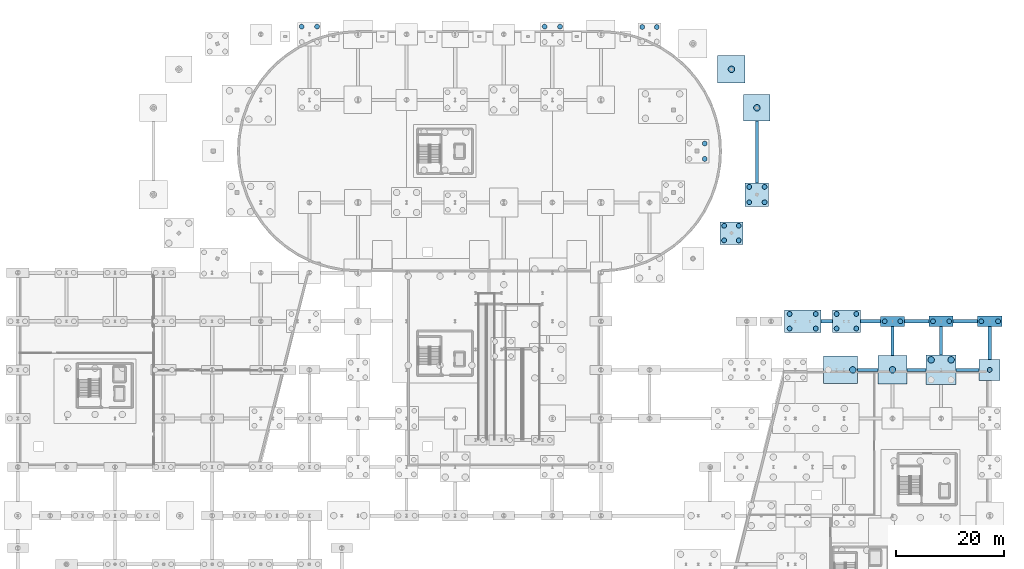
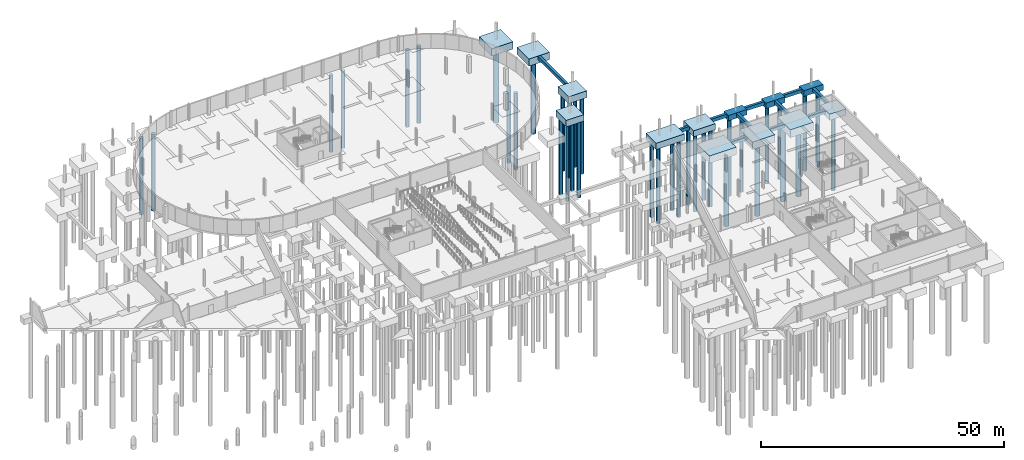
# One storey, part 9 of 42: 37 piles, 24 footings.
"""IFC4 building model written with IfcOpenShell, lengths in metres."""

from ifc_helpers import new_model, si_unit, direction, frame, origin, origin_2d, place, context, subcontext, project, spatial, rectangle, circle, extrude, material, material_profile, profile_set, type_object, element, save


model = new_model("IFC4")

# Units and contexts
model_context = context("Model", 3, precision=1e-05, world=origin(), true_north=direction((0.0, 1.0)))
body_context = subcontext(model_context, "Body", "Model", "MODEL_VIEW")
ifc_project = project(units=[si_unit("LENGTHUNIT", "METRE"), si_unit("AREAUNIT", "SQUARE_METRE"), si_unit("VOLUMEUNIT", "CUBIC_METRE"), si_unit("PLANEANGLEUNIT", "RADIAN"), si_unit("MASSUNIT", "GRAM", prefix="KILO")], contexts=[model_context])

# Site, building, storey
site_placement = place(None, origin())
site = spatial("IfcSite", under=ifc_project, at=site_placement, CompositionType="ELEMENT")
building_placement = place(site_placement, origin())
building = spatial("IfcBuilding", under=site, at=building_placement, Name="Deido Ridge Mobility Hub", CompositionType="ELEMENT")
storey_placement = place(building_placement, frame((0.0, 0.0, -4.199951171875)))
storey = spatial("IfcBuildingStorey", under=building, at=storey_placement, Name="B1", CompositionType="ELEMENT", Elevation=-4.199951171875)

# Footings
ifc_material = material(Name="Concrete C40/50", Category="concrete")
footing_type_1 = type_object("IfcFootingType", Name="FTG-PC-3900X3900X1550", PredefinedType="PILE_CAP", material=ifc_material)
footing_1_placement = place(storey_placement, frame((180.0, 63.0, -1.55029296875), z_axis=(0.0, 0.0, 1.0), x_axis=(1.0, 0.0, 0.0)))
element("IfcFooting", 1, at=footing_1_placement, inside=storey, type_object=footing_type_1, Name="Pile cap PC12", PredefinedType="PILE_CAP", context=body_context, shape_type="SweptSolid", body=[
    extrude(rectangle(XDim=3.89990234375, YDim=3.89990234375, at=origin_2d()), origin(), (0.0, 0.0, 1.0), 1.550048828125),
])
footing_type_2 = type_object("IfcFootingType", Name="FTG-PC-4200X4200X1650", PredefinedType="PILE_CAP", material=ifc_material)
footing_2_placement = place(storey_placement, frame((132.16748046875, 88.33251953125, -1.64990234375), z_axis=(0.0, 0.0, 1.0), x_axis=(1.0, 0.0, 0.0)))
element("IfcFooting", 2, at=footing_2_placement, inside=storey, type_object=footing_type_2, Name="Pile cap PC14", PredefinedType="PILE_CAP", context=body_context, shape_type="SweptSolid", body=[
    extrude(rectangle(XDim=4.199951171875, YDim=4.199951171875, at=origin_2d()), origin(), (0.0, 0.0, 1.0), 1.64990234375),
])
footing_type_3 = type_object("IfcFootingType", Name="FTG-PC-4350X4350X1700", PredefinedType="PILE_CAP", material=ifc_material)
footing_3_placement = place(storey_placement, frame((136.88818359375, 95.464599609375, -1.7001953125), z_axis=(0.0, 0.0, 1.0), x_axis=(1.0, 0.0, 0.0)))
element("IfcFooting", 3, at=footing_3_placement, inside=storey, type_object=footing_type_3, Name="Pile cap PC15", PredefinedType="PILE_CAP", context=body_context, shape_type="SweptSolid", body=[
    extrude(rectangle(XDim=4.35009765625, YDim=4.35009765625, at=origin_2d()), origin(), (0.0, 0.0, 1.0), 1.699951171875),
])
footing_type_4 = type_object("IfcFootingType", Name="FTG-PC-4400X1850X1350", PredefinedType="PILE_CAP", material=ifc_material)
footing_4_placement = place(storey_placement, frame((162.0, 72.0, -1.35009765625), z_axis=(0.0, 0.0, 1.0), x_axis=(1.0, 0.0, 0.0)))
element("IfcFooting", 4, at=footing_4_placement, inside=storey, type_object=footing_type_4, Name="Pile cap PC6", PredefinedType="PILE_CAP", context=body_context, shape_type="SweptSolid", body=[
    extrude(rectangle(XDim=4.39990234375, YDim=1.85009765625, at=origin_2d()), origin(), (0.0, 0.0, 1.0), 1.35009765625),
])
footing_type_5 = type_object("IfcFootingType", Name="FTG-PC-4500X1900X1400", PredefinedType="PILE_CAP", material=ifc_material)
footing_5_placement = place(storey_placement, frame((171.0, 72.0, -1.39990234375), z_axis=(0.0, 0.0, 1.0), x_axis=(1.0, 0.0, 0.0)))
element("IfcFooting", 5, at=footing_5_placement, inside=storey, type_object=footing_type_5, Name="Pile cap PC7", PredefinedType="PILE_CAP", context=body_context, shape_type="SweptSolid", body=[
    extrude(rectangle(XDim=4.5, YDim=1.89990234375, at=origin_2d()), origin(), (0.0, 0.0, 1.0), 1.39990234375),
])
footing_type_6 = type_object("IfcFootingType", Name="FTG-PC-4600X1950X1450", PredefinedType="PILE_CAP", material=ifc_material)
footing_6_placement = place(storey_placement, frame((180.0, 72.0, -1.4501953125), z_axis=(0.0, 0.0, 1.0), x_axis=(1.0, 0.0, 0.0)))
element("IfcFooting", 6, at=footing_6_placement, inside=storey, type_object=footing_type_6, Name="Pile cap PC8", PredefinedType="PILE_CAP", context=body_context, shape_type="SweptSolid", body=[
    extrude(rectangle(XDim=4.60009765625, YDim=1.949951171875, at=origin_2d()), origin(), (0.0, 0.0, 1.0), 1.449951171875),
])
footing_type_7 = type_object("IfcFootingType", Name="FTG-PC-4900X4900X1800", PredefinedType="PILE_CAP", material=ifc_material)
footing_7_placement = place(storey_placement, frame((136.88818359375, 111.535400390625, -1.80029296875), z_axis=(0.0, 0.0, 1.0), x_axis=(1.0, 0.0, 0.0)))
element("IfcFooting", 7, at=footing_7_placement, inside=storey, type_object=footing_type_7, Name="Pile cap PC17", PredefinedType="PILE_CAP", context=body_context, shape_type="SweptSolid", body=[
    extrude(rectangle(XDim=4.89990234375, YDim=4.89990234375, at=origin_2d()), origin(), (0.0, 0.0, 1.0), 1.800048828125),
])
footing_type_8 = type_object("IfcFootingType", Name="FTG-PC-5100X5100X1850", PredefinedType="PILE_CAP", material=ifc_material)
footing_8_placement = place(storey_placement, frame((132.16748046875, 118.66748046875, -1.85009765625), z_axis=(0.0, 0.0, 1.0), x_axis=(1.0, 0.0, 0.0)))
element("IfcFooting", 8, at=footing_8_placement, inside=storey, type_object=footing_type_8, Name="Pile cap PC22", PredefinedType="PILE_CAP", context=body_context, shape_type="SweptSolid", body=[
    extrude(rectangle(XDim=5.10009765625, YDim=5.10009765625, at=origin_2d()), origin(), (0.0, 0.0, 1.0), 1.85009765625),
])
footing_type_9 = type_object("IfcFootingType", Name="FTG-PC-5150X4200X1500", PredefinedType="PILE_CAP", material=ifc_material)
footing_9_placement = place(storey_placement, frame((153.47509765625, 72.0, -1.5), z_axis=(0.0, 0.0, 1.0), x_axis=(1.0, 0.0, 0.0)))
element("IfcFooting", 9, at=footing_9_placement, inside=storey, type_object=footing_type_9, Name="Pile cap PC41", PredefinedType="PILE_CAP", context=body_context, shape_type="SweptSolid", body=[
    extrude(rectangle(XDim=5.14990234375, YDim=4.199951171875, at=origin_2d()), origin(), (0.0, 0.0, 1.0), 1.5),
])
footing_type_10 = type_object("IfcFootingType", Name="FTG-PC-5300X5300X1900", PredefinedType="PILE_CAP", material=ifc_material)
footing_10_placement = place(storey_placement, frame((162.0, 63.0, -1.89990234375), z_axis=(0.0, 0.0, 1.0), x_axis=(1.0, 0.0, 0.0)))
element("IfcFooting", 10, at=footing_10_placement, inside=storey, type_object=footing_type_10, Name="Pile cap PC25", PredefinedType="PILE_CAP", context=body_context, shape_type="SweptSolid", body=[
    extrude(rectangle(XDim=5.300048828125, YDim=5.300048828125, at=origin_2d()), origin(), (0.0, 0.0, 1.0), 1.89990234375),
])
footing_type_11 = type_object("IfcFootingType", Name="FTG-PC-5500X5500X1950", PredefinedType="PILE_CAP", material=ifc_material)
footing_11_placement = place(storey_placement, frame((171.0, 63.0, -1.9501953125), z_axis=(0.0, 0.0, 1.0), x_axis=(1.0, 0.0, 0.0)))
element("IfcFooting", 11, at=footing_11_placement, inside=storey, type_object=footing_type_11, Name="Pile cap PC16", PredefinedType="PILE_CAP", context=body_context, shape_type="SweptSolid", body=[
    extrude(rectangle(XDim=5.5, YDim=5.5, at=origin_2d()), origin(), (0.0, 0.0, 1.0), 1.949951171875),
])
footing_type_12 = type_object("IfcFootingType", Name="FTG-PC-6350X5100X1850", PredefinedType="PILE_CAP", material=ifc_material)
footing_12_placement = place(storey_placement, frame((152.375, 63.0, -1.85009765625), z_axis=(0.0, 0.0, 1.0), x_axis=(1.0, 0.0, 0.0)))
element("IfcFooting", 12, at=footing_12_placement, inside=storey, type_object=footing_type_12, Name="Pile cap PC39", PredefinedType="PILE_CAP", context=body_context, shape_type="SweptSolid", body=[
    extrude(rectangle(XDim=6.35009765625, YDim=5.10009765625, at=origin_2d()), origin(), (0.0, 0.0, 1.0), 1.85009765625),
])
footing_type_13 = type_object("IfcFootingType", Name="FTG-PC-6775X4200X1600", PredefinedType="PILE_CAP", material=ifc_material)
footing_13_placement = place(storey_placement, frame((145.362548828125, 72.0, -1.60009765625), z_axis=(0.0, 0.0, 1.0), x_axis=(1.0, 0.0, 0.0)))
element("IfcFooting", 13, at=footing_13_placement, inside=storey, type_object=footing_type_13, Name="Pile cap PC40", PredefinedType="PILE_CAP", context=body_context, shape_type="SweptSolid", body=[
    extrude(rectangle(XDim=6.77490234375, YDim=4.199951171875, at=origin_2d()), origin(), (0.0, 0.0, 1.0), 1.60009765625),
])
ifc_material_profile_1 = material_profile(ifc_material, rectangle(XDim=0.60009765625, YDim=0.85009765625, at=origin_2d()), Name="RC GB 600x850")
ifc_profile_set_1 = profile_set([ifc_material_profile_1], Name="Concrete C40/50")
footing_type_14 = type_object("IfcFootingType", Name="GB-RC600X850", PredefinedType="FOOTING_BEAM", material=ifc_profile_set_1)
footing_14_placement = place(storey_placement, frame((148.75, 72.0, -0.425048828125), z_axis=(1.0, 0.0, 0.0), x_axis=(0.0, 1.0, 0.0)))
element("IfcFooting", 14, at=footing_14_placement, inside=storey, type_object=footing_type_14, Name="Ground beam GB1", PredefinedType="FOOTING_BEAM", context=body_context, shape_type="SweptSolid", body=[
    extrude(rectangle(XDim=0.60009765625, YDim=0.85009765625, at=origin_2d()), origin(), (0.0, 0.0, 1.0), 2.14990234375),
])
footing_15_placement = place(storey_placement, frame((156.050048828125, 72.0, -0.425048828125), z_axis=(1.0, 0.0, 0.0), x_axis=(0.0, 1.0, 0.0)))
element("IfcFooting", 15, at=footing_15_placement, inside=storey, type_object=footing_type_14, Name="Ground beam GB1", PredefinedType="FOOTING_BEAM", context=body_context, shape_type="SweptSolid", body=[
    extrude(rectangle(XDim=0.60009765625, YDim=0.85009765625, at=origin_2d()), origin(), (0.0, 0.0, 1.0), 3.75),
])
footing_16_placement = place(storey_placement, frame((164.199951171875, 72.0, -0.425048828125), z_axis=(1.0, 0.0, 0.0), x_axis=(0.0, 1.0, 0.0)))
element("IfcFooting", 16, at=footing_16_placement, inside=storey, type_object=footing_type_14, Name="Ground beam GB1", PredefinedType="FOOTING_BEAM", context=body_context, shape_type="SweptSolid", body=[
    extrude(rectangle(XDim=0.60009765625, YDim=0.85009765625, at=origin_2d()), origin(), (0.0, 0.0, 1.0), 4.550048828125),
])
footing_17_placement = place(storey_placement, frame((173.25, 72.0, -0.425048828125), z_axis=(1.0, 0.0, 0.0), x_axis=(0.0, 1.0, 0.0)))
element("IfcFooting", 17, at=footing_17_placement, inside=storey, type_object=footing_type_14, Name="Ground beam GB1", PredefinedType="FOOTING_BEAM", context=body_context, shape_type="SweptSolid", body=[
    extrude(rectangle(XDim=0.60009765625, YDim=0.85009765625, at=origin_2d()), origin(), (0.0, 0.0, 1.0), 4.449951171875),
])
footing_18_placement = place(storey_placement, frame((155.550048828125, 63.0, -0.425048828125), z_axis=(1.0, 0.0, 0.0), x_axis=(0.0, 1.0, 0.0)))
element("IfcFooting", 18, at=footing_18_placement, inside=storey, type_object=footing_type_14, Name="Ground beam GB1", PredefinedType="FOOTING_BEAM", context=body_context, shape_type="SweptSolid", body=[
    extrude(rectangle(XDim=0.60009765625, YDim=0.85009765625, at=origin_2d()), origin(), (0.0, 0.0, 1.0), 3.800048828125),
])
footing_19_placement = place(storey_placement, frame((164.64990234375, 63.0, -0.425048828125), z_axis=(1.0, 0.0, 0.0), x_axis=(0.0, 1.0, 0.0)))
element("IfcFooting", 19, at=footing_19_placement, inside=storey, type_object=footing_type_14, Name="Ground beam GB1", PredefinedType="FOOTING_BEAM", context=body_context, shape_type="SweptSolid", body=[
    extrude(rectangle(XDim=0.60009765625, YDim=0.85009765625, at=origin_2d()), origin(), (0.0, 0.0, 1.0), 3.60009765625),
])
footing_20_placement = place(storey_placement, frame((173.75, 63.0, -0.425048828125), z_axis=(1.0, 0.0, 0.0), x_axis=(0.0, 1.0, 0.0)))
element("IfcFooting", 20, at=footing_20_placement, inside=storey, type_object=footing_type_14, Name="Ground beam GB1", PredefinedType="FOOTING_BEAM", context=body_context, shape_type="SweptSolid", body=[
    extrude(rectangle(XDim=0.60009765625, YDim=0.85009765625, at=origin_2d()), origin(), (0.0, 0.0, 1.0), 4.300048828125),
])
footing_21_placement = place(storey_placement, frame((136.88818359375, 97.6396484375, -0.425048828125), z_axis=(0.0, 1.0, 0.0), x_axis=(-1.0, 0.0, 0.0)))
element("IfcFooting", 21, at=footing_21_placement, inside=storey, type_object=footing_type_14, Name="Ground beam GB1", PredefinedType="FOOTING_BEAM", context=body_context, shape_type="SweptSolid", body=[
    extrude(rectangle(XDim=0.60009765625, YDim=0.85009765625, at=origin_2d()), origin(), (0.0, 0.0, 1.0), 11.445556640625),
])
footing_22_placement = place(storey_placement, frame((162.0, 65.64990234375, -0.425048828125), z_axis=(0.0, 1.0, 0.0), x_axis=(-1.0, 0.0, 0.0)))
element("IfcFooting", 22, at=footing_22_placement, inside=storey, type_object=footing_type_14, Name="Ground beam GB1", PredefinedType="FOOTING_BEAM", context=body_context, shape_type="SweptSolid", body=[
    extrude(rectangle(XDim=0.60009765625, YDim=0.85009765625, at=origin_2d()), origin(), (0.0, 0.0, 1.0), 5.425048828125),
])
footing_23_placement = place(storey_placement, frame((171.0, 65.75, -0.425048828125), z_axis=(0.0, 1.0, 0.0), x_axis=(-1.0, 0.0, 0.0)))
element("IfcFooting", 23, at=footing_23_placement, inside=storey, type_object=footing_type_14, Name="Ground beam GB1", PredefinedType="FOOTING_BEAM", context=body_context, shape_type="SweptSolid", body=[
    extrude(rectangle(XDim=0.60009765625, YDim=0.85009765625, at=origin_2d()), origin(), (0.0, 0.0, 1.0), 5.300048828125),
])
footing_24_placement = place(storey_placement, frame((180.0, 64.949951171875, -0.425048828125), z_axis=(0.0, 1.0, 0.0), x_axis=(-1.0, 0.0, 0.0)))
element("IfcFooting", 24, at=footing_24_placement, inside=storey, type_object=footing_type_14, Name="Ground beam GB1", PredefinedType="FOOTING_BEAM", context=body_context, shape_type="SweptSolid", body=[
    extrude(rectangle(XDim=0.60009765625, YDim=0.85009765625, at=origin_2d()), origin(), (0.0, 0.0, 1.0), 6.074951171875),
])

# Piles
ifc_material_profile_2 = material_profile(ifc_material, circle(Radius=0.60009765625, at=origin_2d()), Name="BORED PILE D1200")
ifc_profile_set_2 = profile_set([ifc_material_profile_2], Name="Concrete C40/50")
pile_type_1 = type_object("IfcPileType", Name="PILE-BORED-D1200", PredefinedType="BORED", material=ifc_profile_set_2)
pile_1_placement = place(storey_placement, frame((136.88818359375, 111.535400390625, -1.650146484375), z_axis=(0.0, 0.0, -1.0), x_axis=(1.0, 0.0, 0.0)))
element("IfcPile", 25, at=pile_1_placement, inside=storey, type_object=pile_type_1, Name="Bored pile P2", PredefinedType="BORED", context=body_context, shape_type="SweptSolid", body=[
    extrude(circle(Radius=0.60009765625, at=origin_2d()), origin(), (0.0, 0.0, 1.0), 19.14990234375),
])
for number, where, z_axis, x_axis, name in (
    (26, (132.16748046875, 118.66748046875, -1.699951171875), (0.0, 0.0, -1.0), (1.0, 0.0, 0.0), "Bored pile P2"),
    (27, (154.642822265625, 63.0, -1.699951171875), (0.0, 0.0, -1.0), (1.0, 0.0, 0.0), "Bored pile P2"),
):
    element("IfcPile", number, at=place(storey_placement, frame(where, z_axis=z_axis, x_axis=x_axis)), inside=storey, type_object=pile_type_1, Name=name, PredefinedType="BORED", context=body_context, shape_type="SweptSolid", body=[
        extrude(circle(Radius=0.60009765625, at=origin_2d()), origin(), (0.0, 0.0, 1.0), 19.10009765625),
    ])
pile_2_placement = place(storey_placement, frame((162.0, 63.0, -1.75), z_axis=(0.0, 0.0, -1.0), x_axis=(1.0, 0.0, 0.0)))
element("IfcPile", 28, at=pile_2_placement, inside=storey, type_object=pile_type_1, Name="Bored pile P2", PredefinedType="BORED", context=body_context, shape_type="SweptSolid", body=[
    extrude(circle(Radius=0.60009765625, at=origin_2d()), origin(), (0.0, 0.0, 1.0), 19.050048828125),
])
for number, where, z_axis, x_axis, name in (
    (29, (169.14990234375, 64.85009765625, -1.800048828125), (0.0, 0.0, -1.0), (1.0, 0.0, 0.0), "Bored pile P2"),
    (30, (172.85009765625, 64.85009765625, -1.800048828125), (0.0, 0.0, -1.0), (1.0, 0.0, 0.0), "Bored pile P2"),
):
    element("IfcPile", number, at=place(storey_placement, frame(where, z_axis=z_axis, x_axis=x_axis)), inside=storey, type_object=pile_type_1, Name=name, PredefinedType="BORED", context=body_context, shape_type="SweptSolid", body=[
        extrude(circle(Radius=0.60009765625, at=origin_2d()), origin(), (0.0, 0.0, 1.0), 19.0),
    ])
ifc_material_profile_3 = material_profile(ifc_material, circle(Radius=0.449951171875, at=origin_2d()), Name="BORED PILE D900")
ifc_profile_set_3 = profile_set([ifc_material_profile_3], Name="Concrete C40/50")
pile_type_2 = type_object("IfcPileType", Name="PILE-BORED-D900", PredefinedType="BORED", material=ifc_profile_set_3)
for number, where, z_axis, x_axis, name in (
    (31, (52.574951171875, 126.574951171875, -1.550048828125), (0.0, 0.0, -1.0), (1.0, 0.0, 0.0), "Bored pile P1"),
    (32, (55.425048828125, 126.574951171875, -1.550048828125), (0.0, 0.0, -1.0), (1.0, 0.0, 0.0), "Bored pile P1"),
    (33, (97.574951171875, 126.574951171875, -1.550048828125), (0.0, 0.0, -1.0), (1.0, 0.0, 0.0), "Bored pile P1"),
    (34, (100.425048828125, 126.574951171875, -1.550048828125), (0.0, 0.0, -1.0), (1.0, 0.0, 0.0), "Bored pile P1"),
):
    element("IfcPile", number, at=place(storey_placement, frame(where, z_axis=z_axis, x_axis=x_axis)), inside=storey, type_object=pile_type_2, Name=name, PredefinedType="BORED", context=body_context, shape_type="SweptSolid", body=[
        extrude(circle(Radius=0.449951171875, at=origin_2d()), origin(), (0.0, 0.0, 1.0), 19.25),
    ])
for number, where, z_axis, x_axis, name in (
    (35, (115.64990234375, 126.5, -1.5), (0.0, 0.0, -1.0), (1.0, 0.0, 0.0), "Bored pile P1"),
    (36, (118.35009765625, 126.5, -1.5), (0.0, 0.0, -1.0), (1.0, 0.0, 0.0), "Bored pile P1"),
    (37, (130.8173828125, 86.982666015625, -1.5), (0.0, 0.0, -1.0), (1.0, 0.0, 0.0), "Bored pile P1"),
    (38, (133.517333984375, 86.982666015625, -1.5), (0.0, 0.0, -1.0), (1.0, 0.0, 0.0), "Bored pile P1"),
    (39, (130.8173828125, 89.6826171875, -1.5), (0.0, 0.0, -1.0), (1.0, 0.0, 0.0), "Bored pile P1"),
    (40, (133.517333984375, 89.6826171875, -1.5), (0.0, 0.0, -1.0), (1.0, 0.0, 0.0), "Bored pile P1"),
):
    element("IfcPile", number, at=place(storey_placement, frame(where, z_axis=z_axis, x_axis=x_axis)), inside=storey, type_object=pile_type_2, Name=name, PredefinedType="BORED", context=body_context, shape_type="SweptSolid", body=[
        extrude(circle(Radius=0.449951171875, at=origin_2d()), origin(), (0.0, 0.0, 1.0), 19.300048828125),
    ])
for number, where, z_axis, x_axis, name in (
    (41, (135.463134765625, 94.039794921875, -1.550048828125), (0.0, 0.0, -1.0), (1.0, 0.0, 0.0), "Bored pile P1"),
    (42, (138.31298828125, 94.039794921875, -1.550048828125), (0.0, 0.0, -1.0), (1.0, 0.0, 0.0), "Bored pile P1"),
    (43, (135.463134765625, 96.8896484375, -1.550048828125), (0.0, 0.0, -1.0), (1.0, 0.0, 0.0), "Bored pile P1"),
    (44, (138.31298828125, 96.8896484375, -1.550048828125), (0.0, 0.0, -1.0), (1.0, 0.0, 0.0), "Bored pile P1"),
    (45, (127.22509765625, 102.074951171875, -1.550048828125), (0.0, 0.0, -1.0), (1.0, 0.0, 0.0), "Bored pile P1"),
    (46, (127.22509765625, 104.925048828125, -1.550048828125), (0.0, 0.0, -1.0), (1.0, 0.0, 0.0), "Bored pile P1"),
):
    element("IfcPile", number, at=place(storey_placement, frame(where, z_axis=z_axis, x_axis=x_axis)), inside=storey, type_object=pile_type_2, Name=name, PredefinedType="BORED", context=body_context, shape_type="SweptSolid", body=[
        extrude(circle(Radius=0.449951171875, at=origin_2d()), origin(), (0.0, 0.0, 1.0), 19.25),
    ])
pile_3_placement = place(storey_placement, frame((180.0, 63.0, -1.400146484375), z_axis=(0.0, 0.0, -1.0), x_axis=(1.0, 0.0, 0.0)))
element("IfcPile", 47, at=pile_3_placement, inside=storey, type_object=pile_type_2, Name="Bored pile P1", PredefinedType="BORED", context=body_context, shape_type="SweptSolid", body=[
    extrude(circle(Radius=0.449951171875, at=origin_2d()), origin(), (0.0, 0.0, 1.0), 19.39990234375),
])
for number, where, z_axis, x_axis, name in (
    (48, (142.94287109375, 70.64990234375, -1.449951171875), (0.0, 0.0, -1.0), (1.0, 0.0, 0.0), "Bored pile P1"),
    (49, (147.781982421875, 70.64990234375, -1.449951171875), (0.0, 0.0, -1.0), (1.0, 0.0, 0.0), "Bored pile P1"),
    (50, (142.94287109375, 73.35009765625, -1.449951171875), (0.0, 0.0, -1.0), (1.0, 0.0, 0.0), "Bored pile P1"),
    (51, (147.781982421875, 73.35009765625, -1.449951171875), (0.0, 0.0, -1.0), (1.0, 0.0, 0.0), "Bored pile P1"),
):
    element("IfcPile", number, at=place(storey_placement, frame(where, z_axis=z_axis, x_axis=x_axis)), inside=storey, type_object=pile_type_2, Name=name, PredefinedType="BORED", context=body_context, shape_type="SweptSolid", body=[
        extrude(circle(Radius=0.449951171875, at=origin_2d()), origin(), (0.0, 0.0, 1.0), 19.35009765625),
    ])
for number, where, z_axis, x_axis, name in (
    (52, (151.64990234375, 70.64990234375, -1.35009765625), (0.0, 0.0, -1.0), (1.0, 0.0, 0.0), "Bored pile P1"),
    (53, (155.300048828125, 70.64990234375, -1.35009765625), (0.0, 0.0, -1.0), (1.0, 0.0, 0.0), "Bored pile P1"),
    (54, (151.64990234375, 73.35009765625, -1.35009765625), (0.0, 0.0, -1.0), (1.0, 0.0, 0.0), "Bored pile P1"),
    (55, (155.300048828125, 73.35009765625, -1.35009765625), (0.0, 0.0, -1.0), (1.0, 0.0, 0.0), "Bored pile P1"),
):
    element("IfcPile", number, at=place(storey_placement, frame(where, z_axis=z_axis, x_axis=x_axis)), inside=storey, type_object=pile_type_2, Name=name, PredefinedType="BORED", context=body_context, shape_type="SweptSolid", body=[
        extrude(circle(Radius=0.449951171875, at=origin_2d()), origin(), (0.0, 0.0, 1.0), 19.449951171875),
    ])
for number, where, z_axis, x_axis, name in (
    (56, (160.550048828125, 72.0, -1.199951171875), (0.0, 0.0, -1.0), (1.0, 0.0, 0.0), "Bored pile P1"),
    (57, (163.449951171875, 72.0, -1.199951171875), (0.0, 0.0, -1.0), (1.0, 0.0, 0.0), "Bored pile P1"),
):
    element("IfcPile", number, at=place(storey_placement, frame(where, z_axis=z_axis, x_axis=x_axis)), inside=storey, type_object=pile_type_2, Name=name, PredefinedType="BORED", context=body_context, shape_type="SweptSolid", body=[
        extrude(circle(Radius=0.449951171875, at=origin_2d()), origin(), (0.0, 0.0, 1.0), 19.60009765625),
    ])
for number, where, z_axis, x_axis, name in (
    (58, (169.5, 72.0, -1.25), (0.0, 0.0, -1.0), (1.0, 0.0, 0.0), "Bored pile P1"),
    (59, (172.5, 72.0, -1.25), (0.0, 0.0, -1.0), (1.0, 0.0, 0.0), "Bored pile P1"),
):
    element("IfcPile", number, at=place(storey_placement, frame(where, z_axis=z_axis, x_axis=x_axis)), inside=storey, type_object=pile_type_2, Name=name, PredefinedType="BORED", context=body_context, shape_type="SweptSolid", body=[
        extrude(circle(Radius=0.449951171875, at=origin_2d()), origin(), (0.0, 0.0, 1.0), 19.550048828125),
    ])
for number, where, z_axis, x_axis, name in (
    (60, (178.449951171875, 72.0, -1.300048828125), (0.0, 0.0, -1.0), (1.0, 0.0, 0.0), "Bored pile P1"),
    (61, (181.550048828125, 72.0, -1.300048828125), (0.0, 0.0, -1.0), (1.0, 0.0, 0.0), "Bored pile P1"),
):
    element("IfcPile", number, at=place(storey_placement, frame(where, z_axis=z_axis, x_axis=x_axis)), inside=storey, type_object=pile_type_2, Name=name, PredefinedType="BORED", context=body_context, shape_type="SweptSolid", body=[
        extrude(circle(Radius=0.449951171875, at=origin_2d()), origin(), (0.0, 0.0, 1.0), 19.5),
    ])

save(model, "model.ifc")
